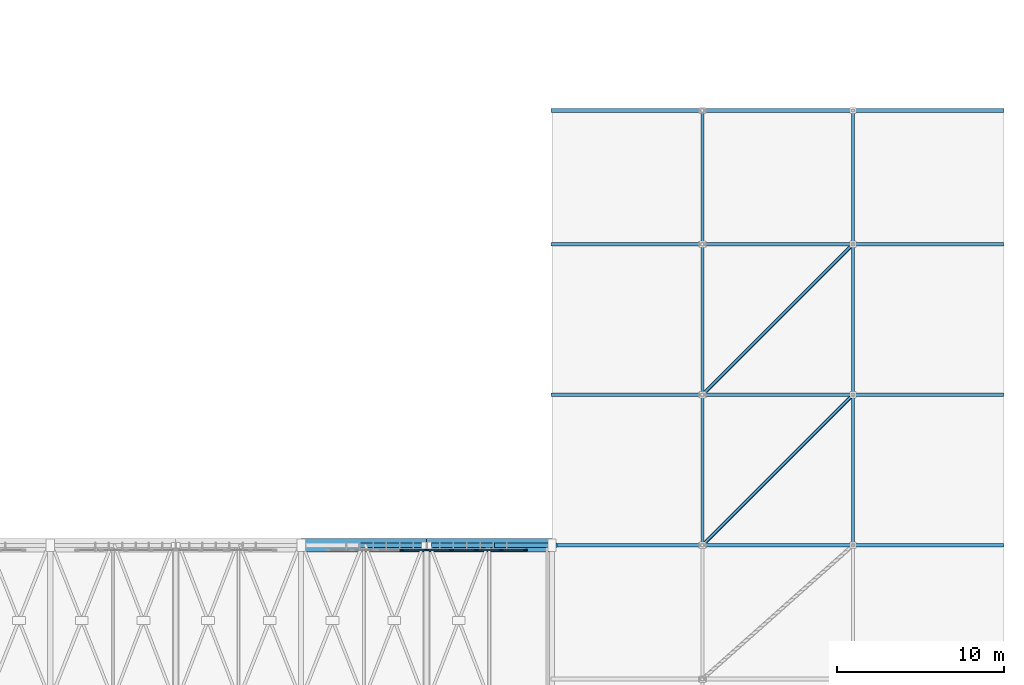
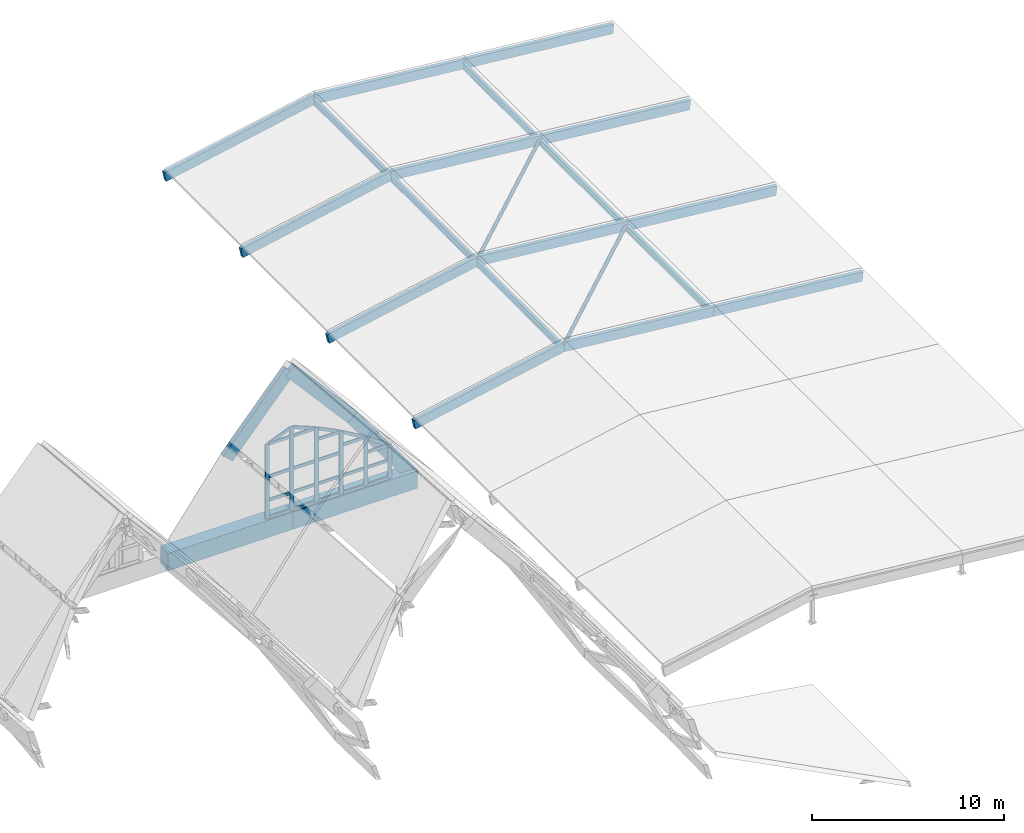
# One storey, part 53 of 93: 31 members, 23 beams, 1 element without a shape of its own.
"""IFC4 building model written with IfcOpenShell, lengths in metres."""

from ifc_helpers import new_model, si_unit, direction, frame, origin, origin_2d, place, context, subcontext, project, spatial, rectangle, hollow_circle, i_section, extrude, material, material_profile, profile_set, type_object, element, aggregate, save


model = new_model("IFC4")

# Units and contexts
model_context = context("Model", 3, precision=1e-05, world=origin(), true_north=direction((0.0, 1.0)))
body_context = subcontext(model_context, "Body", "Model", "MODEL_VIEW")
ifc_project = project(units=[si_unit("LENGTHUNIT", "METRE"), si_unit("AREAUNIT", "SQUARE_METRE"), si_unit("VOLUMEUNIT", "CUBIC_METRE"), si_unit("PLANEANGLEUNIT", "RADIAN"), si_unit("MASSUNIT", "GRAM", prefix="KILO")], contexts=[model_context])

# Site, building, storey
site_placement = place(None, origin())
site = spatial("IfcSite", under=ifc_project, at=site_placement, CompositionType="ELEMENT")
building_placement = place(site_placement, origin())
building = spatial("IfcBuilding", under=site, at=building_placement, Name="Vourika Railside Aquatics Centre", CompositionType="ELEMENT")
storey_placement = place(building_placement, frame((0.0, 0.0, 21.89990234375)))
storey = spatial("IfcBuildingStorey", under=building, at=storey_placement, Name="Roof", CompositionType="ELEMENT", Elevation=21.89990234375)

# Beams
ifc_material_1 = material(Name="Glulam GL32h", Category="wood")
ifc_material_profile_1 = material_profile(ifc_material_1, rectangle(XDim=0.260009765625, YDim=0.760009765625, at=origin_2d()), Name="GL32h 260x760")
ifc_profile_set_1 = profile_set([ifc_material_profile_1], Name="Glulam GL32h")
beam_type_1 = type_object("IfcBeamType", Name="BM-GL-ARCH-260x760", PredefinedType="BEAM", material=ifc_profile_set_1)
for number, where, z_axis, x_axis, name in (
    (1, (129.75, 66.0, -6.599853515625), (0.657258623263, 0.0, 0.75366511273), (0.0, 1.0, 0.0), "Pointed Glulam Vault Arch Rib GAR-0230"),
    (2, (133.5, 66.0, -2.2998046875), (0.657258623263, 0.0, -0.75366511273), (0.0, 1.0, 0.0), "Pointed Glulam Vault Arch Rib GAR-0231"),
):
    element("IfcBeam", number, at=place(storey_placement, frame(where, z_axis=z_axis, x_axis=x_axis)), inside=storey, type_object=beam_type_1, Name=name, PredefinedType="BEAM", context=body_context, shape_type="SweptSolid", body=[
        extrude(rectangle(XDim=0.260009765625, YDim=0.760009765625, at=origin_2d()), origin(), (0.0, 0.0, 1.0), 5.70556640625),
    ])
beam_1_placement = place(storey_placement, frame((137.25, 66.0, -6.599853515625), z_axis=(0.592383087934, 0.0, -0.805656426233), x_axis=(0.0, 1.0, 0.0)))
element("IfcBeam", 3, at=beam_1_placement, inside=storey, type_object=beam_type_1, Name="Pointed Glulam Vault Arch Rib GAR-0232", PredefinedType="BEAM", context=body_context, shape_type="SweptSolid", body=[
    extrude(rectangle(XDim=0.260009765625, YDim=0.760009765625, at=origin_2d()), origin(), (0.0, 0.0, 1.0), 6.330322265625),
])
ifc_material_profile_2 = material_profile(ifc_material_1, rectangle(XDim=0.219970703125, YDim=0.60009765625, at=origin_2d()), Name="GL32h 220x600")
ifc_profile_set_2 = profile_set([ifc_material_profile_2], Name="Glulam GL32h")
beam_type_2 = type_object("IfcBeamType", Name="BM-GL-FOY-220x600", PredefinedType="BEAM", material=ifc_profile_set_2)
beam_2_placement = place(storey_placement, frame((141.0, 66.0, -8.39990234375), z_axis=(0.980579652604, 0.0, 0.196121250506), x_axis=(0.0, 1.0, 0.0)))
element("IfcBeam", 4, at=beam_2_placement, inside=storey, type_object=beam_type_2, Name="Civic Foyer Canopy Glulam Rib FCR-0268", PredefinedType="BEAM", context=body_context, shape_type="SweptSolid", body=[
    extrude(rectangle(XDim=0.219970703125, YDim=0.60009765625, at=origin_2d()), origin(), (0.0, 0.0, 1.0), 9.17822265625),
])
for number, where, z_axis, x_axis, name in (
    (5, (150.0, 66.0, -6.599853515625), (0.995035586592, 0.0, -0.0995197539), (0.0, 1.0, 0.0), "Civic Foyer Canopy Glulam Rib FCR-0269"),
    (6, (159.0, 66.0, -7.5), (0.995038259148, 0.0, -0.099493029059), (0.0, 1.0, 0.0), "Civic Foyer Canopy Glulam Rib FCR-0270"),
):
    element("IfcBeam", number, at=place(storey_placement, frame(where, z_axis=z_axis, x_axis=x_axis)), inside=storey, type_object=beam_type_2, Name=name, PredefinedType="BEAM", context=body_context, shape_type="SweptSolid", body=[
        extrude(rectangle(XDim=0.219970703125, YDim=0.60009765625, at=origin_2d()), origin(), (0.0, 0.0, 1.0), 9.044921875),
    ])
beam_3_placement = place(storey_placement, frame((141.0, 75.0, -8.39990234375), z_axis=(0.980579652604, 0.0, 0.196121250506), x_axis=(0.0, 1.0, 0.0)))
element("IfcBeam", 7, at=beam_3_placement, inside=storey, type_object=beam_type_2, Name="Civic Foyer Canopy Glulam Rib FCR-0271", PredefinedType="BEAM", context=body_context, shape_type="SweptSolid", body=[
    extrude(rectangle(XDim=0.219970703125, YDim=0.60009765625, at=origin_2d()), origin(), (0.0, 0.0, 1.0), 9.17822265625),
])
for number, where, z_axis, x_axis, name in (
    (8, (150.0, 75.0, -6.599853515625), (0.995035586592, 0.0, -0.0995197539), (0.0, 1.0, 0.0), "Civic Foyer Canopy Glulam Rib FCR-0272"),
    (9, (159.0, 75.0, -7.5), (0.995038259148, 0.0, -0.099493029059), (0.0, 1.0, 0.0), "Civic Foyer Canopy Glulam Rib FCR-0273"),
):
    element("IfcBeam", number, at=place(storey_placement, frame(where, z_axis=z_axis, x_axis=x_axis)), inside=storey, type_object=beam_type_2, Name=name, PredefinedType="BEAM", context=body_context, shape_type="SweptSolid", body=[
        extrude(rectangle(XDim=0.219970703125, YDim=0.60009765625, at=origin_2d()), origin(), (0.0, 0.0, 1.0), 9.044921875),
    ])
beam_4_placement = place(storey_placement, frame((141.0, 84.0, -8.39990234375), z_axis=(0.980579652604, 0.0, 0.196121250506), x_axis=(0.0, 1.0, 0.0)))
element("IfcBeam", 10, at=beam_4_placement, inside=storey, type_object=beam_type_2, Name="Civic Foyer Canopy Glulam Rib FCR-0274", PredefinedType="BEAM", context=body_context, shape_type="SweptSolid", body=[
    extrude(rectangle(XDim=0.219970703125, YDim=0.60009765625, at=origin_2d()), origin(), (0.0, 0.0, 1.0), 9.17822265625),
])
for number, where, z_axis, x_axis, name in (
    (11, (150.0, 84.0, -6.599853515625), (0.995035586592, 0.0, -0.0995197539), (0.0, 1.0, 0.0), "Civic Foyer Canopy Glulam Rib FCR-0275"),
    (12, (159.0, 84.0, -7.5), (0.995038259148, 0.0, -0.099493029059), (0.0, 1.0, 0.0), "Civic Foyer Canopy Glulam Rib FCR-0276"),
):
    element("IfcBeam", number, at=place(storey_placement, frame(where, z_axis=z_axis, x_axis=x_axis)), inside=storey, type_object=beam_type_2, Name=name, PredefinedType="BEAM", context=body_context, shape_type="SweptSolid", body=[
        extrude(rectangle(XDim=0.219970703125, YDim=0.60009765625, at=origin_2d()), origin(), (0.0, 0.0, 1.0), 9.044921875),
    ])
beam_5_placement = place(storey_placement, frame((141.0, 92.0, -8.39990234375), z_axis=(0.980579652604, 0.0, 0.196121250506), x_axis=(0.0, 1.0, 0.0)))
element("IfcBeam", 13, at=beam_5_placement, inside=storey, type_object=beam_type_2, Name="Civic Foyer Canopy Glulam Rib FCR-0277", PredefinedType="BEAM", context=body_context, shape_type="SweptSolid", body=[
    extrude(rectangle(XDim=0.219970703125, YDim=0.60009765625, at=origin_2d()), origin(), (0.0, 0.0, 1.0), 9.17822265625),
])
for number, where, z_axis, x_axis, name in (
    (14, (150.0, 92.0, -6.599853515625), (0.995035586592, 0.0, -0.0995197539), (0.0, 1.0, 0.0), "Civic Foyer Canopy Glulam Rib FCR-0278"),
    (15, (159.0, 92.0, -7.5), (0.995038259148, 0.0, -0.099493029059), (0.0, 1.0, 0.0), "Civic Foyer Canopy Glulam Rib FCR-0279"),
):
    element("IfcBeam", number, at=place(storey_placement, frame(where, z_axis=z_axis, x_axis=x_axis)), inside=storey, type_object=beam_type_2, Name=name, PredefinedType="BEAM", context=body_context, shape_type="SweptSolid", body=[
        extrude(rectangle(XDim=0.219970703125, YDim=0.60009765625, at=origin_2d()), origin(), (0.0, 0.0, 1.0), 9.044921875),
    ])
ifc_material_2 = material(Name="Concrete C40/50", Category="concrete")
ifc_material_profile_3 = material_profile(ifc_material_2, rectangle(XDim=0.800048828125, YDim=1.10009765625, at=origin_2d()), Name="RC 800x1100")
ifc_profile_set_3 = profile_set([ifc_material_profile_3], Name="Concrete C40/50")
beam_type_3 = type_object("IfcBeamType", Name="BM-RING-800x1100", PredefinedType="BEAM", material=ifc_profile_set_3)
for number, where, z_axis, x_axis, name in (
    (16, (126.0, 66.0, -11.699951171875), (1.0, 0.0, 0.0), (0.0, 1.0, 0.0), "Vault Springing Ring Beam N (126.0-133.5)"),
    (17, (133.5, 66.0, -11.699951171875), (1.0, 0.0, 0.0), (0.0, 1.0, 0.0), "Vault Springing Ring Beam N (133.5-141.0)"),
):
    element("IfcBeam", number, at=place(storey_placement, frame(where, z_axis=z_axis, x_axis=x_axis)), inside=storey, type_object=beam_type_3, Name=name, PredefinedType="BEAM", context=body_context, shape_type="SweptSolid", body=[
        extrude(rectangle(XDim=0.800048828125, YDim=1.10009765625, at=origin_2d()), origin(), (0.0, 0.0, 1.0), 7.5),
    ])
ifc_material_3 = material(Name="Steel S355J2", Category="steel")
ifc_material_profile_4 = material_profile(ifc_material_3, i_section(OverallWidth=0.179931640625, OverallDepth=0.39990234375, WebThickness=0.008544921875, FlangeThickness=0.013427734375, at=origin_2d()), Name="IPE 400")
ifc_profile_set_4 = profile_set([ifc_material_profile_4], Name="Steel S355J2")
beam_type_4 = type_object("IfcBeamType", Name="BM-STL-IPE400", PredefinedType="BEAM", material=ifc_profile_set_4)
for number, where, z_axis, x_axis, name in (
    (18, (150.0, 66.0, -6.699951171875), (0.0, 1.0, 0.0), (-1.0, 0.0, 0.0), "Foyer Canopy Longitudinal Purlin Beam FLB-150-4"),
    (19, (159.0, 66.0, -7.599853515625), (0.0, 1.0, 0.0), (-1.0, 0.0, 0.0), "Foyer Canopy Longitudinal Purlin Beam FLB-159-4"),
    (20, (150.0, 75.0, -6.699951171875), (0.0, 1.0, 0.0), (-1.0, 0.0, 0.0), "Foyer Canopy Longitudinal Purlin Beam FLB-150-5"),
    (21, (159.0, 75.0, -7.599853515625), (0.0, 1.0, 0.0), (-1.0, 0.0, 0.0), "Foyer Canopy Longitudinal Purlin Beam FLB-159-5"),
):
    element("IfcBeam", number, at=place(storey_placement, frame(where, z_axis=z_axis, x_axis=x_axis)), inside=storey, type_object=beam_type_4, Name=name, PredefinedType="BEAM", context=body_context, shape_type="SweptSolid", body=[
        extrude(i_section(OverallWidth=0.179931640625, OverallDepth=0.39990234375, WebThickness=0.008544921875, FlangeThickness=0.013427734375, at=origin_2d()), origin(), (0.0, 0.0, 1.0), 9.0),
    ])
for number, where, z_axis, x_axis, name in (
    (22, (150.0, 84.0, -6.699951171875), (0.0, 1.0, 0.0), (-1.0, 0.0, 0.0), "Foyer Canopy Longitudinal Purlin Beam FLB-150-6"),
    (23, (159.0, 84.0, -7.599853515625), (0.0, 1.0, 0.0), (-1.0, 0.0, 0.0), "Foyer Canopy Longitudinal Purlin Beam FLB-159-6"),
):
    element("IfcBeam", number, at=place(storey_placement, frame(where, z_axis=z_axis, x_axis=x_axis)), inside=storey, type_object=beam_type_4, Name=name, PredefinedType="BEAM", context=body_context, shape_type="SweptSolid", body=[
        extrude(i_section(OverallWidth=0.179931640625, OverallDepth=0.39990234375, WebThickness=0.008544921875, FlangeThickness=0.013427734375, at=origin_2d()), origin(), (0.0, 0.0, 1.0), 8.0),
    ])

# Curtain wall, members
ifc_material_4 = material(Name="Anodized thermally broken aluminium", Category="aluminium")
curtain_wall_type = type_object("IfcCurtainWallType", Name="CW-VLTN1", PredefinedType="NOTDEFINED", material=ifc_material_4)
curtain_wall_placement = place(storey_placement, origin())
curtain_wall = element("IfcCurtainWall", 24, at=curtain_wall_placement, inside=storey, type_object=curtain_wall_type, Name="North Courtyard Pointed-Arch Curtain Wall Bay 7", PredefinedType="NOTDEFINED")
ifc_material_5 = material(Name="Anodized aluminium mullion", Category="aluminium")
ifc_material_profile_5 = material_profile(ifc_material_5, rectangle(XDim=0.0849609375, YDim=0.25, at=origin_2d()), Name="ALU-M 85x250")
ifc_profile_set_5 = profile_set([ifc_material_profile_5], Name="Anodized aluminium mullion")
member_type_1 = type_object("IfcMemberType", Name="CWM-VLTN1", PredefinedType="MULLION", material=ifc_profile_set_5)
member_1_placement = place(storey_placement, frame((139.407470703125, 65.719970703125, -11.099853515625), z_axis=(0.0, 0.0, 1.0), x_axis=(0.0, -1.0, 0.0)))
member_1 = element("IfcMember", 25, at=member_1_placement, type_object=member_type_1, Name="CW01 arch mullion 1", PredefinedType="MULLION", context=body_context, shape_type="SweptSolid", body=[
    extrude(rectangle(XDim=0.0849609375, YDim=0.25, at=origin_2d()), origin(), (0.0, 0.0, 1.0), 2.130859375),
])
member_2_placement = place(storey_placement, frame((137.96240234375, 65.719970703125, -11.099853515625), z_axis=(0.0, 0.0, 1.0), x_axis=(0.0, -1.0, 0.0)))
member_2 = element("IfcMember", 26, at=member_2_placement, type_object=member_type_1, Name="CW01 arch mullion 2", PredefinedType="MULLION", context=body_context, shape_type="SweptSolid", body=[
    extrude(rectangle(XDim=0.0849609375, YDim=0.25, at=origin_2d()), origin(), (0.0, 0.0, 1.0), 3.1259765625),
])
member_3_placement = place(storey_placement, frame((136.47509765625, 65.719970703125, -11.099853515625), z_axis=(0.0, 0.0, 1.0), x_axis=(0.0, -1.0, 0.0)))
member_3 = element("IfcMember", 27, at=member_3_placement, type_object=member_type_1, Name="CW01 arch mullion 3", PredefinedType="MULLION", context=body_context, shape_type="SweptSolid", body=[
    extrude(rectangle(XDim=0.0849609375, YDim=0.25, at=origin_2d()), origin(), (0.0, 0.0, 1.0), 4.009033203125),
])
member_4_placement = place(storey_placement, frame((134.987548828125, 65.719970703125, -11.099853515625), z_axis=(0.0, 0.0, 1.0), x_axis=(0.0, -1.0, 0.0)))
member_4 = element("IfcMember", 28, at=member_4_placement, type_object=member_type_1, Name="CW01 arch mullion 4", PredefinedType="MULLION", context=body_context, shape_type="SweptSolid", body=[
    extrude(rectangle(XDim=0.0849609375, YDim=0.25, at=origin_2d()), origin(), (0.0, 0.0, 1.0), 4.7509765625),
])
member_5_placement = place(storey_placement, frame((133.5, 65.719970703125, -11.099853515625), z_axis=(0.0, 0.0, 1.0), x_axis=(0.0, -1.0, 0.0)))
member_5 = element("IfcMember", 29, at=member_5_placement, type_object=member_type_1, Name="CW01 arch mullion 5", PredefinedType="MULLION", context=body_context, shape_type="SweptSolid", body=[
    extrude(rectangle(XDim=0.0849609375, YDim=0.25, at=origin_2d()), origin(), (0.0, 0.0, 1.0), 5.349853515625),
])
member_6_placement = place(storey_placement, frame((132.012451171875, 65.719970703125, -11.099853515625), z_axis=(0.0, 0.0, 1.0), x_axis=(0.0, -1.0, 0.0)))
member_6 = element("IfcMember", 30, at=member_6_placement, type_object=member_type_1, Name="CW01 arch mullion 6", PredefinedType="MULLION", context=body_context, shape_type="SweptSolid", body=[
    extrude(rectangle(XDim=0.0849609375, YDim=0.25, at=origin_2d()), origin(), (0.0, 0.0, 1.0), 4.7509765625),
])
ifc_material_6 = material(Name="Anodized aluminium transom", Category="aluminium")
ifc_material_profile_6 = material_profile(ifc_material_6, rectangle(XDim=0.0849609375, YDim=0.195068359375, at=origin_2d()), Name="ALU-T 85x195")
ifc_profile_set_6 = profile_set([ifc_material_profile_6], Name="Anodized aluminium transom")
member_type_2 = type_object("IfcMemberType", Name="CWT-VLTN1", PredefinedType="USERDEFINED", material=ifc_profile_set_6)
member_7_placement = place(storey_placement, frame((139.364990234375, 65.719970703125, -11.057373046875), z_axis=(-1.0, 0.0, 0.0), x_axis=(0.0, -1.0, 0.0)))
member_7 = element("IfcMember", 31, at=member_7_placement, type_object=member_type_2, Name="CW01 transom 1.1", ObjectType="TRANSOM", PredefinedType="USERDEFINED", context=body_context, shape_type="SweptSolid", body=[
    extrude(rectangle(XDim=0.0849609375, YDim=0.195068359375, at=origin_2d()), origin(), (0.0, 0.0, 1.0), 1.360107421875),
])
member_8_placement = place(storey_placement, frame((139.364990234375, 65.719970703125, -9.949951171875), z_axis=(-1.0, 0.0, 0.0), x_axis=(0.0, -1.0, 0.0)))
member_8 = element("IfcMember", 32, at=member_8_placement, type_object=member_type_2, Name="CW01 transom 1.2", ObjectType="TRANSOM", PredefinedType="USERDEFINED", context=body_context, shape_type="SweptSolid", body=[
    extrude(rectangle(XDim=0.0849609375, YDim=0.195068359375, at=origin_2d()), origin(), (0.0, 0.0, 1.0), 1.360107421875),
])
member_9_placement = place(storey_placement, frame((139.364990234375, 65.719970703125, -8.98046875), z_axis=(-1.0, 0.0, 0.0), x_axis=(0.0, -1.0, 0.0)))
member_9 = element("IfcMember", 33, at=member_9_placement, type_object=member_type_2, Name="CW01 transom 1.3", ObjectType="TRANSOM", PredefinedType="USERDEFINED", context=body_context, shape_type="SweptSolid", body=[
    extrude(rectangle(XDim=0.0849609375, YDim=0.195068359375, at=origin_2d()), origin(), (0.0, 0.0, 1.0), 1.360107421875),
])
member_10_placement = place(storey_placement, frame((139.364990234375, 65.719970703125, -8.98046875), z_axis=(-0.823770019809, 0.0, 0.566924117025), x_axis=(0.0, -1.0, 0.0)))
member_10 = element("IfcMember", 34, at=member_10_placement, type_object=member_type_2, Name="CW01 arch chord transom 1", ObjectType="TRANSOM", PredefinedType="USERDEFINED", context=body_context, shape_type="SweptSolid", body=[
    extrude(rectangle(XDim=0.0849609375, YDim=0.195068359375, at=origin_2d()), origin(), (0.0, 0.0, 1.0), 1.651123046875),
])
member_11_placement = place(storey_placement, frame((137.919921875, 65.719970703125, -11.057373046875), z_axis=(-1.0, 0.0, 0.0), x_axis=(0.0, -1.0, 0.0)))
member_11 = element("IfcMember", 35, at=member_11_placement, type_object=member_type_2, Name="CW01 transom 2.1", ObjectType="TRANSOM", PredefinedType="USERDEFINED", context=body_context, shape_type="SweptSolid", body=[
    extrude(rectangle(XDim=0.0849609375, YDim=0.195068359375, at=origin_2d()), origin(), (0.0, 0.0, 1.0), 1.40234375),
])
member_12_placement = place(storey_placement, frame((137.919921875, 65.719970703125, -9.949951171875), z_axis=(-1.0, 0.0, 0.0), x_axis=(0.0, -1.0, 0.0)))
member_12 = element("IfcMember", 36, at=member_12_placement, type_object=member_type_2, Name="CW01 transom 2.2", ObjectType="TRANSOM", PredefinedType="USERDEFINED", context=body_context, shape_type="SweptSolid", body=[
    extrude(rectangle(XDim=0.0849609375, YDim=0.195068359375, at=origin_2d()), origin(), (0.0, 0.0, 1.0), 1.40234375),
])
member_13_placement = place(storey_placement, frame((137.919921875, 65.719970703125, -7.989501953125), z_axis=(-1.0, 0.0, 0.0), x_axis=(0.0, -1.0, 0.0)))
member_13 = element("IfcMember", 37, at=member_13_placement, type_object=member_type_2, Name="CW01 transom 2.3", ObjectType="TRANSOM", PredefinedType="USERDEFINED", context=body_context, shape_type="SweptSolid", body=[
    extrude(rectangle(XDim=0.0849609375, YDim=0.195068359375, at=origin_2d()), origin(), (0.0, 0.0, 1.0), 1.40234375),
])
member_14_placement = place(storey_placement, frame((137.919921875, 65.719970703125, -7.989501953125), z_axis=(-0.859756166629, 0.0, 0.510704742433), x_axis=(0.0, -1.0, 0.0)))
member_14 = element("IfcMember", 38, at=member_14_placement, type_object=member_type_2, Name="CW01 arch chord transom 2", ObjectType="TRANSOM", PredefinedType="USERDEFINED", context=body_context, shape_type="SweptSolid", body=[
    extrude(rectangle(XDim=0.0849609375, YDim=0.195068359375, at=origin_2d()), origin(), (0.0, 0.0, 1.0), 1.631103515625),
])
member_15_placement = place(storey_placement, frame((136.4326171875, 65.719970703125, -11.057373046875), z_axis=(-1.0, 0.0, 0.0), x_axis=(0.0, -1.0, 0.0)))
member_15 = element("IfcMember", 39, at=member_15_placement, type_object=member_type_2, Name="CW01 transom 3.1", ObjectType="TRANSOM", PredefinedType="USERDEFINED", context=body_context, shape_type="SweptSolid", body=[
    extrude(rectangle(XDim=0.0849609375, YDim=0.195068359375, at=origin_2d()), origin(), (0.0, 0.0, 1.0), 1.402587890625),
])
member_16_placement = place(storey_placement, frame((136.4326171875, 65.719970703125, -9.949951171875), z_axis=(-1.0, 0.0, 0.0), x_axis=(0.0, -1.0, 0.0)))
member_16 = element("IfcMember", 40, at=member_16_placement, type_object=member_type_2, Name="CW01 transom 3.2", ObjectType="TRANSOM", PredefinedType="USERDEFINED", context=body_context, shape_type="SweptSolid", body=[
    extrude(rectangle(XDim=0.0849609375, YDim=0.195068359375, at=origin_2d()), origin(), (0.0, 0.0, 1.0), 1.402587890625),
])
member_17_placement = place(storey_placement, frame((136.4326171875, 65.719970703125, -8.449951171875), z_axis=(-1.0, 0.0, 0.0), x_axis=(0.0, -1.0, 0.0)))
member_17 = element("IfcMember", 41, at=member_17_placement, type_object=member_type_2, Name="CW01 transom 3.3", ObjectType="TRANSOM", PredefinedType="USERDEFINED", context=body_context, shape_type="SweptSolid", body=[
    extrude(rectangle(XDim=0.0849609375, YDim=0.195068359375, at=origin_2d()), origin(), (0.0, 0.0, 1.0), 1.402587890625),
])
member_18_placement = place(storey_placement, frame((136.4326171875, 65.719970703125, -7.109375), z_axis=(-1.0, 0.0, 0.0), x_axis=(0.0, -1.0, 0.0)))
member_18 = element("IfcMember", 42, at=member_18_placement, type_object=member_type_2, Name="CW01 transom 3.4", ObjectType="TRANSOM", PredefinedType="USERDEFINED", context=body_context, shape_type="SweptSolid", body=[
    extrude(rectangle(XDim=0.0849609375, YDim=0.195068359375, at=origin_2d()), origin(), (0.0, 0.0, 1.0), 1.402587890625),
])
member_19_placement = place(storey_placement, frame((136.4326171875, 65.719970703125, -7.109375), z_axis=(-0.895018412541, 0.0, 0.44602919323), x_axis=(0.0, -1.0, 0.0)))
member_19 = element("IfcMember", 43, at=member_19_placement, type_object=member_type_2, Name="CW01 arch chord transom 3", ObjectType="TRANSOM", PredefinedType="USERDEFINED", context=body_context, shape_type="SweptSolid", body=[
    extrude(rectangle(XDim=0.0849609375, YDim=0.195068359375, at=origin_2d()), origin(), (0.0, 0.0, 1.0), 1.567138671875),
])
member_20_placement = place(storey_placement, frame((134.945068359375, 65.719970703125, -11.057373046875), z_axis=(-1.0, 0.0, 0.0), x_axis=(0.0, -1.0, 0.0)))
member_20 = element("IfcMember", 44, at=member_20_placement, type_object=member_type_2, Name="CW01 transom 4.1", ObjectType="TRANSOM", PredefinedType="USERDEFINED", context=body_context, shape_type="SweptSolid", body=[
    extrude(rectangle(XDim=0.0849609375, YDim=0.195068359375, at=origin_2d()), origin(), (0.0, 0.0, 1.0), 1.402587890625),
])
member_21_placement = place(storey_placement, frame((134.945068359375, 65.719970703125, -9.949951171875), z_axis=(-1.0, 0.0, 0.0), x_axis=(0.0, -1.0, 0.0)))
member_21 = element("IfcMember", 45, at=member_21_placement, type_object=member_type_2, Name="CW01 transom 4.2", ObjectType="TRANSOM", PredefinedType="USERDEFINED", context=body_context, shape_type="SweptSolid", body=[
    extrude(rectangle(XDim=0.0849609375, YDim=0.195068359375, at=origin_2d()), origin(), (0.0, 0.0, 1.0), 1.402587890625),
])
member_22_placement = place(storey_placement, frame((134.945068359375, 65.719970703125, -8.449951171875), z_axis=(-1.0, 0.0, 0.0), x_axis=(0.0, -1.0, 0.0)))
member_22 = element("IfcMember", 46, at=member_22_placement, type_object=member_type_2, Name="CW01 transom 4.3", ObjectType="TRANSOM", PredefinedType="USERDEFINED", context=body_context, shape_type="SweptSolid", body=[
    extrude(rectangle(XDim=0.0849609375, YDim=0.195068359375, at=origin_2d()), origin(), (0.0, 0.0, 1.0), 1.402587890625),
])
member_23_placement = place(storey_placement, frame((134.945068359375, 65.719970703125, -6.372314453125), z_axis=(-1.0, 0.0, 0.0), x_axis=(0.0, -1.0, 0.0)))
member_23 = element("IfcMember", 47, at=member_23_placement, type_object=member_type_2, Name="CW01 transom 4.4", ObjectType="TRANSOM", PredefinedType="USERDEFINED", context=body_context, shape_type="SweptSolid", body=[
    extrude(rectangle(XDim=0.0849609375, YDim=0.195068359375, at=origin_2d()), origin(), (0.0, 0.0, 1.0), 1.402587890625),
])
member_24_placement = place(storey_placement, frame((134.945068359375, 65.719970703125, -6.372314453125), z_axis=(-0.927583210555, 0.0, 0.373616631719), x_axis=(0.0, -1.0, 0.0)))
member_24 = element("IfcMember", 48, at=member_24_placement, type_object=member_type_2, Name="CW01 arch chord transom 4", ObjectType="TRANSOM", PredefinedType="USERDEFINED", context=body_context, shape_type="SweptSolid", body=[
    extrude(rectangle(XDim=0.0849609375, YDim=0.195068359375, at=origin_2d()), origin(), (0.0, 0.0, 1.0), 1.51220703125),
])
member_25_placement = place(storey_placement, frame((133.45751953125, 65.719970703125, -11.057373046875), z_axis=(-1.0, 0.0, 0.0), x_axis=(0.0, -1.0, 0.0)))
member_25 = element("IfcMember", 49, at=member_25_placement, type_object=member_type_2, Name="CW01 transom 5.1", ObjectType="TRANSOM", PredefinedType="USERDEFINED", context=body_context, shape_type="SweptSolid", body=[
    extrude(rectangle(XDim=0.0849609375, YDim=0.195068359375, at=origin_2d()), origin(), (0.0, 0.0, 1.0), 1.402587890625),
])
member_26_placement = place(storey_placement, frame((133.45751953125, 65.719970703125, -9.949951171875), z_axis=(-1.0, 0.0, 0.0), x_axis=(0.0, -1.0, 0.0)))
member_26 = element("IfcMember", 50, at=member_26_placement, type_object=member_type_2, Name="CW01 transom 5.2", ObjectType="TRANSOM", PredefinedType="USERDEFINED", context=body_context, shape_type="SweptSolid", body=[
    extrude(rectangle(XDim=0.0849609375, YDim=0.195068359375, at=origin_2d()), origin(), (0.0, 0.0, 1.0), 1.402587890625),
])
member_27_placement = place(storey_placement, frame((133.45751953125, 65.719970703125, -8.449951171875), z_axis=(-1.0, 0.0, 0.0), x_axis=(0.0, -1.0, 0.0)))
member_27 = element("IfcMember", 51, at=member_27_placement, type_object=member_type_2, Name="CW01 transom 5.3", ObjectType="TRANSOM", PredefinedType="USERDEFINED", context=body_context, shape_type="SweptSolid", body=[
    extrude(rectangle(XDim=0.0849609375, YDim=0.195068359375, at=origin_2d()), origin(), (0.0, 0.0, 1.0), 1.402587890625),
])
member_28_placement = place(storey_placement, frame((133.45751953125, 65.719970703125, -6.372314453125), z_axis=(-1.0, 0.0, 0.0), x_axis=(0.0, -1.0, 0.0)))
member_28 = element("IfcMember", 52, at=member_28_placement, type_object=member_type_2, Name="CW01 transom 5.4", ObjectType="TRANSOM", PredefinedType="USERDEFINED", context=body_context, shape_type="SweptSolid", body=[
    extrude(rectangle(XDim=0.0849609375, YDim=0.195068359375, at=origin_2d()), origin(), (0.0, 0.0, 1.0), 1.402587890625),
])
member_29_placement = place(storey_placement, frame((133.45751953125, 65.719970703125, -5.807373046875), z_axis=(-0.927583210555, 0.0, -0.373616631719), x_axis=(0.0, -1.0, 0.0)))
member_29 = element("IfcMember", 53, at=member_29_placement, type_object=member_type_2, Name="CW01 arch chord transom 5", ObjectType="TRANSOM", PredefinedType="USERDEFINED", context=body_context, shape_type="SweptSolid", body=[
    extrude(rectangle(XDim=0.0849609375, YDim=0.195068359375, at=origin_2d()), origin(), (0.0, 0.0, 1.0), 1.51220703125),
])
aggregate(curtain_wall, [member_1, member_2, member_3, member_4, member_5, member_6, member_7, member_8, member_9, member_10, member_11, member_12, member_13, member_14, member_15, member_16, member_17, member_18, member_19, member_20, member_21, member_22, member_23, member_24, member_25, member_26, member_27, member_28, member_29])

# Members
ifc_material_profile_7 = material_profile(ifc_material_3, hollow_circle(Radius=0.109619140625, WallThickness=0.010009765625, at=origin_2d()), Name="CHS 219.1x10")
ifc_profile_set_7 = profile_set([ifc_material_profile_7], Name="Steel S355J2")
member_type_3 = type_object("IfcMemberType", Name="MEM-STL-CHS219", PredefinedType="BRACE", material=ifc_profile_set_7)
for number, where, z_axis, x_axis, name in (
    (54, (150.0, 66.0, -6.599853515625), (0.705345044657, 0.705345044657, -0.070545984691), (-0.707106781187, 0.707106781187, 0.0), "Foyer Canopy Steel Wind Brace FWB-0431"),
    (55, (150.0, 75.0, -6.599853515625), (0.705345044657, 0.705345044657, -0.070545984691), (-0.707106781187, 0.707106781187, 0.0), "Foyer Canopy Steel Wind Brace FWB-0432"),
):
    element("IfcMember", number, at=place(storey_placement, frame(where, z_axis=z_axis, x_axis=x_axis)), inside=storey, type_object=member_type_3, Name=name, PredefinedType="BRACE", context=body_context, shape_type="SweptSolid", body=[
        extrude(hollow_circle(Radius=0.109619140625, WallThickness=0.010009765625, at=origin_2d()), origin(), (0.0, 0.0, 1.0), 12.759765625),
    ])

save(model, "model.ifc")
